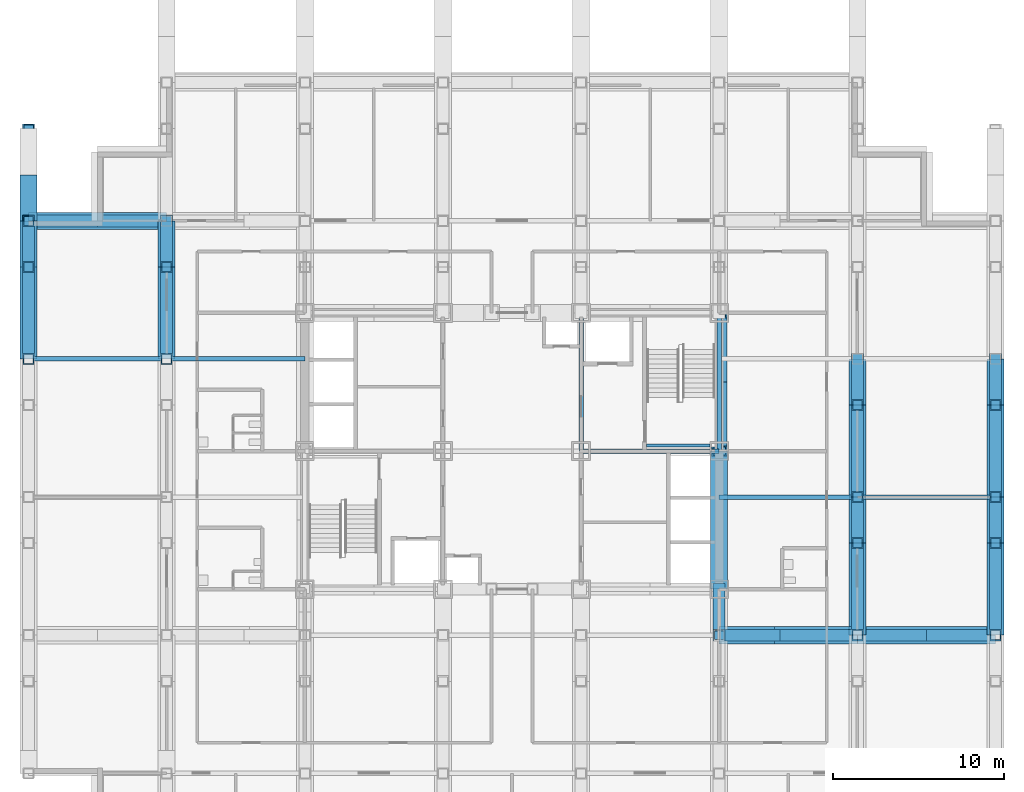
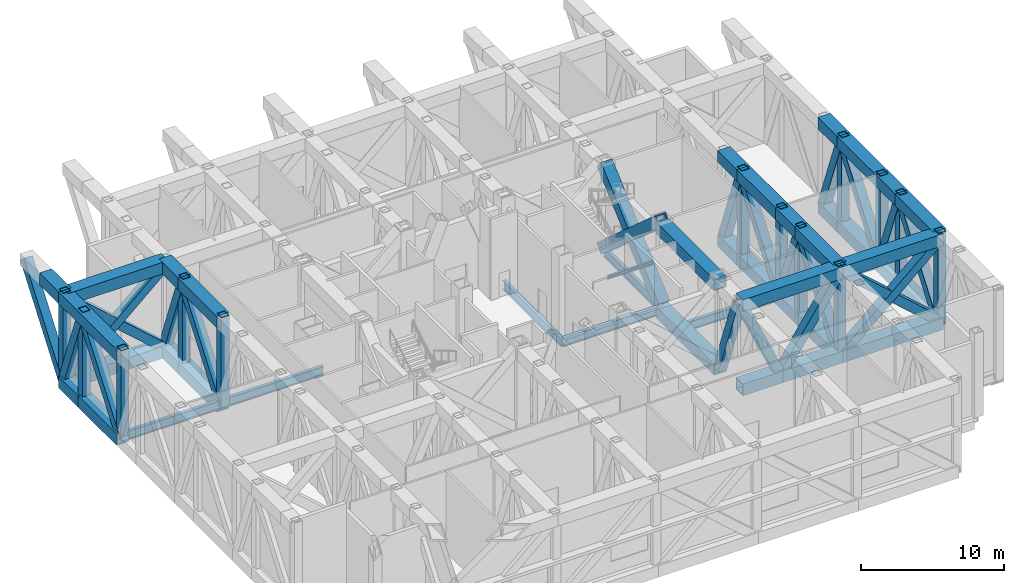
# One storey, part 4 of 13: 68 members, 8 beams.
"""IFC4 building model written with IfcOpenShell, lengths in metres."""

from ifc_helpers import new_model, si_unit, direction, frame, origin, origin_2d, place, context, subcontext, project, spatial, hollow_rectangle, i_section, extrude, material, material_profile, profile_set, type_object, element, save


model = new_model("IFC4")

# Units and contexts
model_context = context("Model", 3, precision=1e-05, world=origin(), true_north=direction((0.0, 1.0)))
body_context = subcontext(model_context, "Body", "Model", "MODEL_VIEW")
ifc_project = project(units=[si_unit("LENGTHUNIT", "METRE"), si_unit("AREAUNIT", "SQUARE_METRE"), si_unit("VOLUMEUNIT", "CUBIC_METRE"), si_unit("PLANEANGLEUNIT", "RADIAN"), si_unit("MASSUNIT", "GRAM", prefix="KILO")], contexts=[model_context])

# Site, building, storey
site_placement = place(None, origin())
site = spatial("IfcSite", under=ifc_project, at=site_placement, CompositionType="ELEMENT")
building_placement = place(site_placement, origin())
building = spatial("IfcBuilding", under=site, at=building_placement, Name="Kopane Lantern Tower", CompositionType="ELEMENT")
storey_placement = place(building_placement, frame((0.0, 0.0, 157.800048828125)))
storey = spatial("IfcBuildingStorey", under=building, at=storey_placement, Name="L41", CompositionType="ELEMENT", Elevation=157.800048828125)

# Members
ifc_material_1 = material(Name="Steel S355JR", Category="steel")
ifc_material_profile_1 = material_profile(ifc_material_1, hollow_rectangle(XDim=0.89990234375, YDim=0.89990234375, WallThickness=0.090087890625, at=origin_2d()), Name="BOX 900x900x90")
ifc_profile_set_1 = profile_set([ifc_material_profile_1], Name="Steel S355JR")
member_type_1 = type_object("IfcMemberType", Name="BRACE BOX 900x900x90", PredefinedType="BRACE", material=ifc_profile_set_1)
for number, where, z_axis, x_axis, name in (
    (1, (40.5, 32.39990234375, -0.25), (0.0, 0.747415533118, 0.664356847525), (-1.0, 0.0, 0.0), "Core brace L41"),
    (2, (40.5, 40.5, -0.25), (0.0, -0.747415533118, 0.664356847525), (1.0, 0.0, 0.0), "Core brace L41"),
):
    element("IfcMember", number, at=place(storey_placement, frame(where, z_axis=z_axis, x_axis=x_axis)), inside=storey, type_object=member_type_1, Name=name, PredefinedType="BRACE", context=body_context, shape_type="SweptSolid", body=[
        extrude(hollow_rectangle(XDim=0.89990234375, YDim=0.89990234375, WallThickness=0.090087890625, at=origin_2d()), origin(), (0.0, 0.0, 1.0), 10.83740234375),
    ])

# Beams
ifc_material_2 = material(Name="Steel S355JR", Category="steel")
ifc_material_profile_2 = material_profile(ifc_material_2, i_section(OverallWidth=0.2666015625, OverallDepth=0.76220703125, WebThickness=0.014404296875, FlangeThickness=0.021484375, FilletRadius=0.0166015625, at=origin_2d()), Name="UB 762x267x173")
ifc_profile_set_2 = profile_set([ifc_material_profile_2], Name="Steel S355JR")
beam_type_1 = type_object("IfcBeamType", Name="CORE BEAM UB 762x267x173", PredefinedType="BEAM", material=ifc_profile_set_2)
for number, where, z_axis, x_axis, name in (
    (3, (32.39990234375, 32.39990234375, -0.631103515625), (0.0, 1.0, 0.0), (-1.0, 0.0, 0.0), "Core Beam L41"),
    (4, (32.39990234375, 32.39990234375, -0.631103515625), (1.0, 0.0, 0.0), (0.0, 1.0, 0.0), "Core Beam L41"),
):
    element("IfcBeam", number, at=place(storey_placement, frame(where, z_axis=z_axis, x_axis=x_axis)), inside=storey, type_object=beam_type_1, Name=name, PredefinedType="BEAM", context=body_context, shape_type="SweptSolid", body=[
        extrude(i_section(OverallWidth=0.2666015625, OverallDepth=0.76220703125, WebThickness=0.014404296875, FlangeThickness=0.021484375, FilletRadius=0.0166015625, at=origin_2d()), origin(), (0.0, 0.0, 1.0), 8.10009765625),
    ])
ifc_material_3 = material(Name="Steel S355JR", Category="steel")
ifc_material_profile_3 = material_profile(ifc_material_3, i_section(OverallWidth=0.26806640625, OverallDepth=0.769775390625, WebThickness=0.015625, FlangeThickness=0.025390625, FilletRadius=0.0166015625, at=origin_2d()), Name="UB 762x267x197")
ifc_profile_set_3 = profile_set([ifc_material_profile_3], Name="Steel S355JR")
beam_type_2 = type_object("IfcBeamType", Name="GIRDER UB 762x267x197", PredefinedType="BEAM", material=ifc_profile_set_3)
beam_1_placement = place(storey_placement, frame((0.0, 37.800048828125, -0.635009765625), z_axis=(1.0, 0.0, 0.0), x_axis=(0.0, 1.0, 0.0)))
element("IfcBeam", 5, at=beam_1_placement, inside=storey, type_object=beam_type_2, Name="Girder L41", PredefinedType="BEAM", context=body_context, shape_type="SweptSolid", body=[
    extrude(i_section(OverallWidth=0.26806640625, OverallDepth=0.769775390625, WebThickness=0.015625, FlangeThickness=0.025390625, FilletRadius=0.0166015625, at=origin_2d()), origin(), (0.0, 0.0, 1.0), 8.10009765625),
])
beam_2_placement = place(storey_placement, frame((8.10009765625, 37.800048828125, -0.635009765625), z_axis=(1.0, 0.0, 0.0), x_axis=(0.0, 1.0, 0.0)))
element("IfcBeam", 6, at=beam_2_placement, inside=storey, type_object=beam_type_2, Name="Girder L41", PredefinedType="BEAM", context=body_context, shape_type="SweptSolid", body=[
    extrude(i_section(OverallWidth=0.26806640625, OverallDepth=0.769775390625, WebThickness=0.015625, FlangeThickness=0.025390625, FilletRadius=0.0166015625, at=origin_2d()), origin(), (0.0, 0.0, 1.0), 8.099853515625),
])
for number, where, z_axis, x_axis, name in (
    (7, (40.5, 29.699951171875, -0.635009765625), (1.0, 0.0, 0.0), (0.0, 1.0, 0.0), "Girder L41"),
    (8, (40.5, 32.39990234375, -0.635009765625), (0.0, 1.0, 0.0), (-1.0, 0.0, 0.0), "Girder L41"),
):
    element("IfcBeam", number, at=place(storey_placement, frame(where, z_axis=z_axis, x_axis=x_axis)), inside=storey, type_object=beam_type_2, Name=name, PredefinedType="BEAM", context=body_context, shape_type="SweptSolid", body=[
        extrude(i_section(OverallWidth=0.26806640625, OverallDepth=0.769775390625, WebThickness=0.015625, FlangeThickness=0.025390625, FilletRadius=0.0166015625, at=origin_2d()), origin(), (0.0, 0.0, 1.0), 8.10009765625),
    ])
beam_3_placement = place(storey_placement, frame((48.60009765625, 29.699951171875, -0.635009765625), z_axis=(1.0, 0.0, 0.0), x_axis=(0.0, 1.0, 0.0)))
element("IfcBeam", 9, at=beam_3_placement, inside=storey, type_object=beam_type_2, Name="Girder L41", PredefinedType="BEAM", context=body_context, shape_type="SweptSolid", body=[
    extrude(i_section(OverallWidth=0.26806640625, OverallDepth=0.769775390625, WebThickness=0.015625, FlangeThickness=0.025390625, FilletRadius=0.0166015625, at=origin_2d()), origin(), (0.0, 0.0, 1.0), 8.099853515625),
])
ifc_material_4 = material(Name="Steel S355JR", Category="steel")
ifc_material_profile_4 = material_profile(ifc_material_4, i_section(OverallWidth=0.1650390625, OverallDepth=0.303466796875, WebThickness=0.006103515625, FlangeThickness=0.01025390625, FilletRadius=0.0087890625, at=origin_2d()), Name="UB 305x165x40")
ifc_profile_set_4 = profile_set([ifc_material_profile_4], Name="Steel S355JR")
beam_type_3 = type_object("IfcBeamType", Name="STAIR LANDING BEAM UB 305x165x40", PredefinedType="BEAM", material=ifc_profile_set_4)
beam_4_placement = place(storey_placement, frame((39.949951171875, 32.732421875, 3.33203125), z_axis=(-1.0, 0.0, 0.0), x_axis=(0.0, -1.0, 0.0)))
element("IfcBeam", 10, at=beam_4_placement, inside=storey, type_object=beam_type_3, Name="Stair landing beam ST2 L41", PredefinedType="BEAM", context=body_context, shape_type="SweptSolid", body=[
    extrude(i_section(OverallWidth=0.1650390625, OverallDepth=0.303466796875, WebThickness=0.006103515625, FlangeThickness=0.01025390625, FilletRadius=0.0087890625, at=origin_2d()), origin(), (0.0, 0.0, 1.0), 3.699951171875),
])

# Members
ifc_material_5 = material(Name="Steel S355JR", Category="steel")
ifc_material_profile_5 = material_profile(ifc_material_5, hollow_rectangle(XDim=1.0, YDim=1.0, WallThickness=0.090087890625, at=origin_2d()), Name="BOX 1000x1000x90")
ifc_profile_set_5 = profile_set([ifc_material_profile_5], Name="Steel S355JR")
member_type_2 = type_object("IfcMemberType", Name="TRUSS CHORD BOX 1000x1000x90", PredefinedType="CHORD", material=ifc_profile_set_5)
member_1_placement = place(storey_placement, frame((0.0, 37.800048828125, -0.75), z_axis=(0.0, 1.0, 0.0), x_axis=(-1.0, 0.0, 0.0)))
element("IfcMember", 11, at=member_1_placement, inside=storey, type_object=member_type_2, Name="Transfer truss 2 L41 truss chord", PredefinedType="CHORD", context=body_context, shape_type="SweptSolid", body=[
    extrude(hollow_rectangle(XDim=1.0, YDim=1.0, WallThickness=0.090087890625, at=origin_2d()), origin(), (0.0, 0.0, 1.0), 5.39990234375),
])
member_2_placement = place(storey_placement, frame((0.0, 43.199951171875, -0.75), z_axis=(0.0, 1.0, 0.0), x_axis=(-1.0, 0.0, 0.0)))
element("IfcMember", 12, at=member_2_placement, inside=storey, type_object=member_type_2, Name="Transfer truss 2 L41 truss chord", PredefinedType="CHORD", context=body_context, shape_type="SweptSolid", body=[
    extrude(hollow_rectangle(XDim=1.0, YDim=1.0, WallThickness=0.090087890625, at=origin_2d()), origin(), (0.0, 0.0, 1.0), 2.699951171875),
])
member_3_placement = place(storey_placement, frame((0.0, 37.800048828125, 6.449951171875), z_axis=(0.0, 1.0, 0.0), x_axis=(-1.0, 0.0, 0.0)))
element("IfcMember", 13, at=member_3_placement, inside=storey, type_object=member_type_2, Name="Transfer truss 2 L41 truss chord", PredefinedType="CHORD", context=body_context, shape_type="SweptSolid", body=[
    extrude(hollow_rectangle(XDim=1.0, YDim=1.0, WallThickness=0.090087890625, at=origin_2d()), origin(), (0.0, 0.0, 1.0), 8.099853515625),
])
member_4_placement = place(storey_placement, frame((0.0, 45.89990234375, 6.449951171875), z_axis=(0.0, 1.0, 0.0), x_axis=(-1.0, 0.0, 0.0)))
element("IfcMember", 14, at=member_4_placement, inside=storey, type_object=member_type_2, Name="Transfer truss 2 L41 truss chord", PredefinedType="CHORD", context=body_context, shape_type="SweptSolid", body=[
    extrude(hollow_rectangle(XDim=1.0, YDim=1.0, WallThickness=0.090087890625, at=origin_2d()), origin(), (0.0, 0.0, 1.0), 2.7001953125),
])
member_5_placement = place(storey_placement, frame((8.10009765625, 37.800048828125, -0.75), z_axis=(0.0, 1.0, 0.0), x_axis=(-1.0, 0.0, 0.0)))
element("IfcMember", 15, at=member_5_placement, inside=storey, type_object=member_type_2, Name="Transfer truss 3 L41 truss chord", PredefinedType="CHORD", context=body_context, shape_type="SweptSolid", body=[
    extrude(hollow_rectangle(XDim=1.0, YDim=1.0, WallThickness=0.090087890625, at=origin_2d()), origin(), (0.0, 0.0, 1.0), 5.39990234375),
])
member_6_placement = place(storey_placement, frame((8.10009765625, 43.199951171875, -0.75), z_axis=(0.0, 1.0, 0.0), x_axis=(-1.0, 0.0, 0.0)))
element("IfcMember", 16, at=member_6_placement, inside=storey, type_object=member_type_2, Name="Transfer truss 3 L41 truss chord", PredefinedType="CHORD", context=body_context, shape_type="SweptSolid", body=[
    extrude(hollow_rectangle(XDim=1.0, YDim=1.0, WallThickness=0.090087890625, at=origin_2d()), origin(), (0.0, 0.0, 1.0), 2.699951171875),
])
member_7_placement = place(storey_placement, frame((8.10009765625, 37.800048828125, 6.449951171875), z_axis=(0.0, 1.0, 0.0), x_axis=(-1.0, 0.0, 0.0)))
element("IfcMember", 17, at=member_7_placement, inside=storey, type_object=member_type_2, Name="Transfer truss 3 L41 truss chord", PredefinedType="CHORD", context=body_context, shape_type="SweptSolid", body=[
    extrude(hollow_rectangle(XDim=1.0, YDim=1.0, WallThickness=0.090087890625, at=origin_2d()), origin(), (0.0, 0.0, 1.0), 5.39990234375),
])
member_8_placement = place(storey_placement, frame((8.10009765625, 43.199951171875, 6.449951171875), z_axis=(0.0, 1.0, 0.0), x_axis=(-1.0, 0.0, 0.0)))
element("IfcMember", 18, at=member_8_placement, inside=storey, type_object=member_type_2, Name="Transfer truss 3 L41 truss chord", PredefinedType="CHORD", context=body_context, shape_type="SweptSolid", body=[
    extrude(hollow_rectangle(XDim=1.0, YDim=1.0, WallThickness=0.090087890625, at=origin_2d()), origin(), (0.0, 0.0, 1.0), 2.699951171875),
])
for number, where, z_axis, x_axis, name in (
    (19, (40.5, 24.300048828125, -0.75), (0.0, 1.0, 0.0), (-1.0, 0.0, 0.0), "Transfer truss 7 L41 truss chord"),
    (20, (40.5, 24.300048828125, 6.449951171875), (0.0, 1.0, 0.0), (-1.0, 0.0, 0.0), "Transfer truss 7 L41 truss chord"),
):
    element("IfcMember", number, at=place(storey_placement, frame(where, z_axis=z_axis, x_axis=x_axis)), inside=storey, type_object=member_type_2, Name=name, PredefinedType="CHORD", context=body_context, shape_type="SweptSolid", body=[
        extrude(hollow_rectangle(XDim=1.0, YDim=1.0, WallThickness=0.090087890625, at=origin_2d()), origin(), (0.0, 0.0, 1.0), 8.099853515625),
    ])
member_9_placement = place(storey_placement, frame((48.60009765625, 21.60009765625, -0.75), z_axis=(0.0, 1.0, 0.0), x_axis=(-1.0, 0.0, 0.0)))
element("IfcMember", 21, at=member_9_placement, inside=storey, type_object=member_type_2, Name="Transfer truss 8 L41 truss chord", PredefinedType="CHORD", context=body_context, shape_type="SweptSolid", body=[
    extrude(hollow_rectangle(XDim=1.0, YDim=1.0, WallThickness=0.090087890625, at=origin_2d()), origin(), (0.0, 0.0, 1.0), 5.39990234375),
])
member_10_placement = place(storey_placement, frame((48.60009765625, 27.0, -0.75), z_axis=(0.0, 1.0, 0.0), x_axis=(-1.0, 0.0, 0.0)))
element("IfcMember", 22, at=member_10_placement, inside=storey, type_object=member_type_2, Name="Transfer truss 8 L41 truss chord", PredefinedType="CHORD", context=body_context, shape_type="SweptSolid", body=[
    extrude(hollow_rectangle(XDim=1.0, YDim=1.0, WallThickness=0.090087890625, at=origin_2d()), origin(), (0.0, 0.0, 1.0), 2.699951171875),
])
member_11_placement = place(storey_placement, frame((48.60009765625, 29.699951171875, -0.75), z_axis=(0.0, 1.0, 0.0), x_axis=(-1.0, 0.0, 0.0)))
element("IfcMember", 23, at=member_11_placement, inside=storey, type_object=member_type_2, Name="Transfer truss 8 L41 truss chord", PredefinedType="CHORD", context=body_context, shape_type="SweptSolid", body=[
    extrude(hollow_rectangle(XDim=1.0, YDim=1.0, WallThickness=0.090087890625, at=origin_2d()), origin(), (0.0, 0.0, 1.0), 5.400146484375),
])
member_12_placement = place(storey_placement, frame((48.60009765625, 35.10009765625, -0.75), z_axis=(0.0, 1.0, 0.0), x_axis=(-1.0, 0.0, 0.0)))
element("IfcMember", 24, at=member_12_placement, inside=storey, type_object=member_type_2, Name="Transfer truss 8 L41 truss chord", PredefinedType="CHORD", context=body_context, shape_type="SweptSolid", body=[
    extrude(hollow_rectangle(XDim=1.0, YDim=1.0, WallThickness=0.090087890625, at=origin_2d()), origin(), (0.0, 0.0, 1.0), 2.699951171875),
])
member_13_placement = place(storey_placement, frame((48.60009765625, 21.60009765625, 6.449951171875), z_axis=(0.0, 1.0, 0.0), x_axis=(-1.0, 0.0, 0.0)))
element("IfcMember", 25, at=member_13_placement, inside=storey, type_object=member_type_2, Name="Transfer truss 8 L41 truss chord", PredefinedType="CHORD", context=body_context, shape_type="SweptSolid", body=[
    extrude(hollow_rectangle(XDim=1.0, YDim=1.0, WallThickness=0.090087890625, at=origin_2d()), origin(), (0.0, 0.0, 1.0), 5.39990234375),
])
member_14_placement = place(storey_placement, frame((48.60009765625, 27.0, 6.449951171875), z_axis=(0.0, 1.0, 0.0), x_axis=(-1.0, 0.0, 0.0)))
element("IfcMember", 26, at=member_14_placement, inside=storey, type_object=member_type_2, Name="Transfer truss 8 L41 truss chord", PredefinedType="CHORD", context=body_context, shape_type="SweptSolid", body=[
    extrude(hollow_rectangle(XDim=1.0, YDim=1.0, WallThickness=0.090087890625, at=origin_2d()), origin(), (0.0, 0.0, 1.0), 2.699951171875),
])
member_15_placement = place(storey_placement, frame((48.60009765625, 29.699951171875, 6.449951171875), z_axis=(0.0, 1.0, 0.0), x_axis=(-1.0, 0.0, 0.0)))
element("IfcMember", 27, at=member_15_placement, inside=storey, type_object=member_type_2, Name="Transfer truss 8 L41 truss chord", PredefinedType="CHORD", context=body_context, shape_type="SweptSolid", body=[
    extrude(hollow_rectangle(XDim=1.0, YDim=1.0, WallThickness=0.090087890625, at=origin_2d()), origin(), (0.0, 0.0, 1.0), 5.400146484375),
])
member_16_placement = place(storey_placement, frame((48.60009765625, 35.10009765625, 6.449951171875), z_axis=(0.0, 1.0, 0.0), x_axis=(-1.0, 0.0, 0.0)))
element("IfcMember", 28, at=member_16_placement, inside=storey, type_object=member_type_2, Name="Transfer truss 8 L41 truss chord", PredefinedType="CHORD", context=body_context, shape_type="SweptSolid", body=[
    extrude(hollow_rectangle(XDim=1.0, YDim=1.0, WallThickness=0.090087890625, at=origin_2d()), origin(), (0.0, 0.0, 1.0), 2.699951171875),
])
member_17_placement = place(storey_placement, frame((56.699951171875, 21.60009765625, -0.75), z_axis=(0.0, 1.0, 0.0), x_axis=(-1.0, 0.0, 0.0)))
element("IfcMember", 29, at=member_17_placement, inside=storey, type_object=member_type_2, Name="Transfer truss 9 L41 truss chord", PredefinedType="CHORD", context=body_context, shape_type="SweptSolid", body=[
    extrude(hollow_rectangle(XDim=1.0, YDim=1.0, WallThickness=0.090087890625, at=origin_2d()), origin(), (0.0, 0.0, 1.0), 5.39990234375),
])
member_18_placement = place(storey_placement, frame((56.699951171875, 27.0, -0.75), z_axis=(0.0, 1.0, 0.0), x_axis=(-1.0, 0.0, 0.0)))
element("IfcMember", 30, at=member_18_placement, inside=storey, type_object=member_type_2, Name="Transfer truss 9 L41 truss chord", PredefinedType="CHORD", context=body_context, shape_type="SweptSolid", body=[
    extrude(hollow_rectangle(XDim=1.0, YDim=1.0, WallThickness=0.090087890625, at=origin_2d()), origin(), (0.0, 0.0, 1.0), 2.699951171875),
])
member_19_placement = place(storey_placement, frame((56.699951171875, 29.699951171875, -0.75), z_axis=(0.0, 1.0, 0.0), x_axis=(-1.0, 0.0, 0.0)))
element("IfcMember", 31, at=member_19_placement, inside=storey, type_object=member_type_2, Name="Transfer truss 9 L41 truss chord", PredefinedType="CHORD", context=body_context, shape_type="SweptSolid", body=[
    extrude(hollow_rectangle(XDim=1.0, YDim=1.0, WallThickness=0.090087890625, at=origin_2d()), origin(), (0.0, 0.0, 1.0), 5.400146484375),
])
member_20_placement = place(storey_placement, frame((56.699951171875, 35.10009765625, -0.75), z_axis=(0.0, 1.0, 0.0), x_axis=(-1.0, 0.0, 0.0)))
element("IfcMember", 32, at=member_20_placement, inside=storey, type_object=member_type_2, Name="Transfer truss 9 L41 truss chord", PredefinedType="CHORD", context=body_context, shape_type="SweptSolid", body=[
    extrude(hollow_rectangle(XDim=1.0, YDim=1.0, WallThickness=0.090087890625, at=origin_2d()), origin(), (0.0, 0.0, 1.0), 2.699951171875),
])
member_21_placement = place(storey_placement, frame((56.699951171875, 21.60009765625, 6.449951171875), z_axis=(0.0, 1.0, 0.0), x_axis=(-1.0, 0.0, 0.0)))
element("IfcMember", 33, at=member_21_placement, inside=storey, type_object=member_type_2, Name="Transfer truss 9 L41 truss chord", PredefinedType="CHORD", context=body_context, shape_type="SweptSolid", body=[
    extrude(hollow_rectangle(XDim=1.0, YDim=1.0, WallThickness=0.090087890625, at=origin_2d()), origin(), (0.0, 0.0, 1.0), 5.39990234375),
])
member_22_placement = place(storey_placement, frame((56.699951171875, 27.0, 6.449951171875), z_axis=(0.0, 1.0, 0.0), x_axis=(-1.0, 0.0, 0.0)))
element("IfcMember", 34, at=member_22_placement, inside=storey, type_object=member_type_2, Name="Transfer truss 9 L41 truss chord", PredefinedType="CHORD", context=body_context, shape_type="SweptSolid", body=[
    extrude(hollow_rectangle(XDim=1.0, YDim=1.0, WallThickness=0.090087890625, at=origin_2d()), origin(), (0.0, 0.0, 1.0), 2.699951171875),
])
member_23_placement = place(storey_placement, frame((56.699951171875, 29.699951171875, 6.449951171875), z_axis=(0.0, 1.0, 0.0), x_axis=(-1.0, 0.0, 0.0)))
element("IfcMember", 35, at=member_23_placement, inside=storey, type_object=member_type_2, Name="Transfer truss 9 L41 truss chord", PredefinedType="CHORD", context=body_context, shape_type="SweptSolid", body=[
    extrude(hollow_rectangle(XDim=1.0, YDim=1.0, WallThickness=0.090087890625, at=origin_2d()), origin(), (0.0, 0.0, 1.0), 5.400146484375),
])
member_24_placement = place(storey_placement, frame((56.699951171875, 35.10009765625, 6.449951171875), z_axis=(0.0, 1.0, 0.0), x_axis=(-1.0, 0.0, 0.0)))
element("IfcMember", 36, at=member_24_placement, inside=storey, type_object=member_type_2, Name="Transfer truss 9 L41 truss chord", PredefinedType="CHORD", context=body_context, shape_type="SweptSolid", body=[
    extrude(hollow_rectangle(XDim=1.0, YDim=1.0, WallThickness=0.090087890625, at=origin_2d()), origin(), (0.0, 0.0, 1.0), 2.699951171875),
])
for number, where, z_axis, x_axis, name in (
    (37, (56.699951171875, 21.60009765625, -0.75), (-1.0, 0.0, 0.0), (0.0, -1.0, 0.0), "Outrigger truss E21.6 L41 truss chord"),
    (38, (56.699951171875, 21.60009765625, 6.449951171875), (-1.0, 0.0, 0.0), (0.0, -1.0, 0.0), "Outrigger truss E21.6 L41 truss chord"),
):
    element("IfcMember", number, at=place(storey_placement, frame(where, z_axis=z_axis, x_axis=x_axis)), inside=storey, type_object=member_type_2, Name=name, PredefinedType="CHORD", context=body_context, shape_type="SweptSolid", body=[
        extrude(hollow_rectangle(XDim=1.0, YDim=1.0, WallThickness=0.090087890625, at=origin_2d()), origin(), (0.0, 0.0, 1.0), 8.099853515625),
    ])
member_25_placement = place(storey_placement, frame((48.60009765625, 21.60009765625, -0.75), z_axis=(-1.0, 0.0, 0.0), x_axis=(0.0, -1.0, 0.0)))
element("IfcMember", 39, at=member_25_placement, inside=storey, type_object=member_type_2, Name="Outrigger truss E21.6 L41 truss chord", PredefinedType="CHORD", context=body_context, shape_type="SweptSolid", body=[
    extrude(hollow_rectangle(XDim=1.0, YDim=1.0, WallThickness=0.090087890625, at=origin_2d()), origin(), (0.0, 0.0, 1.0), 4.860107421875),
])
member_26_placement = place(storey_placement, frame((43.739990234375, 21.60009765625, -0.75), z_axis=(-1.0, 0.0, 0.0), x_axis=(0.0, -1.0, 0.0)))
element("IfcMember", 40, at=member_26_placement, inside=storey, type_object=member_type_2, Name="Outrigger truss E21.6 L41 truss chord", PredefinedType="CHORD", context=body_context, shape_type="SweptSolid", body=[
    extrude(hollow_rectangle(XDim=1.0, YDim=1.0, WallThickness=0.090087890625, at=origin_2d()), origin(), (0.0, 0.0, 1.0), 3.239990234375),
])
for number, where, z_axis, x_axis, name in (
    (41, (48.60009765625, 21.60009765625, 6.449951171875), (-1.0, 0.0, 0.0), (0.0, -1.0, 0.0), "Outrigger truss E21.6 L41 truss chord"),
    (42, (0.0, 45.89990234375, -0.75), (1.0, 0.0, 0.0), (0.0, 1.0, 0.0), "Outrigger truss W45.9 L41 truss chord"),
    (43, (0.0, 45.89990234375, 6.449951171875), (1.0, 0.0, 0.0), (0.0, 1.0, 0.0), "Outrigger truss W45.9 L41 truss chord"),
):
    element("IfcMember", number, at=place(storey_placement, frame(where, z_axis=z_axis, x_axis=x_axis)), inside=storey, type_object=member_type_2, Name=name, PredefinedType="CHORD", context=body_context, shape_type="SweptSolid", body=[
        extrude(hollow_rectangle(XDim=1.0, YDim=1.0, WallThickness=0.090087890625, at=origin_2d()), origin(), (0.0, 0.0, 1.0), 8.10009765625),
    ])
ifc_material_6 = material(Name="Steel S355JR", Category="steel")
ifc_material_profile_6 = material_profile(ifc_material_6, hollow_rectangle(XDim=0.699951171875, YDim=0.699951171875, WallThickness=0.070068359375, at=origin_2d()), Name="BOX 700x700x70")
ifc_profile_set_6 = profile_set([ifc_material_profile_6], Name="Steel S355JR")
member_type_3 = type_object("IfcMemberType", Name="TRUSS DIAGONAL BOX 700x700x70", PredefinedType="BRACE", material=ifc_profile_set_6)
member_27_placement = place(storey_placement, frame((0.0, 37.800048828125, -0.75), z_axis=(0.0, 0.599995659666, 0.800003255232), x_axis=(-1.0, 0.0, 0.0)))
element("IfcMember", 44, at=member_27_placement, inside=storey, type_object=member_type_3, Name="Transfer truss 2 L41 truss diagonal", PredefinedType="BRACE", context=body_context, shape_type="SweptSolid", body=[
    extrude(hollow_rectangle(XDim=0.699951171875, YDim=0.699951171875, WallThickness=0.070068359375, at=origin_2d()), origin(), (0.0, 0.0, 1.0), 9.0),
])
member_28_placement = place(storey_placement, frame((0.0, 45.89990234375, -0.75), z_axis=(0.0, -0.351119962166, 0.936330482345), x_axis=(1.0, 0.0, 0.0)))
element("IfcMember", 45, at=member_28_placement, inside=storey, type_object=member_type_3, Name="Transfer truss 2 L41 truss diagonal", PredefinedType="BRACE", context=body_context, shape_type="SweptSolid", body=[
    extrude(hollow_rectangle(XDim=0.699951171875, YDim=0.699951171875, WallThickness=0.070068359375, at=origin_2d()), origin(), (0.0, 0.0, 1.0), 7.689453125),
])
for number, where, z_axis, x_axis, name in (
    (46, (0.0, 45.89990234375, -0.75), (0.0, 0.600013020683, 0.799990234322), (-1.0, 0.0, 0.0), "Transfer truss 2 L41 truss diagonal"),
    (47, (8.10009765625, 37.800048828125, -0.75), (0.0, 0.599995659666, 0.800003255232), (-1.0, 0.0, 0.0), "Transfer truss 3 L41 truss diagonal"),
):
    element("IfcMember", number, at=place(storey_placement, frame(where, z_axis=z_axis, x_axis=x_axis)), inside=storey, type_object=member_type_3, Name=name, PredefinedType="BRACE", context=body_context, shape_type="SweptSolid", body=[
        extrude(hollow_rectangle(XDim=0.699951171875, YDim=0.699951171875, WallThickness=0.070068359375, at=origin_2d()), origin(), (0.0, 0.0, 1.0), 9.0),
    ])
member_29_placement = place(storey_placement, frame((8.10009765625, 45.89990234375, -0.75), z_axis=(0.0, -0.351119962166, 0.936330482345), x_axis=(1.0, 0.0, 0.0)))
element("IfcMember", 48, at=member_29_placement, inside=storey, type_object=member_type_3, Name="Transfer truss 3 L41 truss diagonal", PredefinedType="BRACE", context=body_context, shape_type="SweptSolid", body=[
    extrude(hollow_rectangle(XDim=0.699951171875, YDim=0.699951171875, WallThickness=0.070068359375, at=origin_2d()), origin(), (0.0, 0.0, 1.0), 7.689453125),
])
member_30_placement = place(storey_placement, frame((48.60009765625, 21.60009765625, -0.75), z_axis=(0.0, 0.599995659666, 0.800003255232), x_axis=(-1.0, 0.0, 0.0)))
element("IfcMember", 49, at=member_30_placement, inside=storey, type_object=member_type_3, Name="Transfer truss 8 L41 truss diagonal", PredefinedType="BRACE", context=body_context, shape_type="SweptSolid", body=[
    extrude(hollow_rectangle(XDim=0.699951171875, YDim=0.699951171875, WallThickness=0.070068359375, at=origin_2d()), origin(), (0.0, 0.0, 1.0), 9.0),
])
member_31_placement = place(storey_placement, frame((48.60009765625, 29.699951171875, -0.75), z_axis=(0.0, -0.351119962166, 0.936330482345), x_axis=(1.0, 0.0, 0.0)))
element("IfcMember", 50, at=member_31_placement, inside=storey, type_object=member_type_3, Name="Transfer truss 8 L41 truss diagonal", PredefinedType="BRACE", context=body_context, shape_type="SweptSolid", body=[
    extrude(hollow_rectangle(XDim=0.699951171875, YDim=0.699951171875, WallThickness=0.070068359375, at=origin_2d()), origin(), (0.0, 0.0, 1.0), 7.689453125),
])
member_32_placement = place(storey_placement, frame((48.60009765625, 29.699951171875, -0.75), z_axis=(0.0, 0.600013020683, 0.799990234322), x_axis=(-1.0, 0.0, 0.0)))
element("IfcMember", 51, at=member_32_placement, inside=storey, type_object=member_type_3, Name="Transfer truss 8 L41 truss diagonal", PredefinedType="BRACE", context=body_context, shape_type="SweptSolid", body=[
    extrude(hollow_rectangle(XDim=0.699951171875, YDim=0.699951171875, WallThickness=0.070068359375, at=origin_2d()), origin(), (0.0, 0.0, 1.0), 9.0),
])
member_33_placement = place(storey_placement, frame((48.60009765625, 37.800048828125, -0.75), z_axis=(0.0, -0.351119962166, 0.936330482345), x_axis=(1.0, 0.0, 0.0)))
element("IfcMember", 52, at=member_33_placement, inside=storey, type_object=member_type_3, Name="Transfer truss 8 L41 truss diagonal", PredefinedType="BRACE", context=body_context, shape_type="SweptSolid", body=[
    extrude(hollow_rectangle(XDim=0.699951171875, YDim=0.699951171875, WallThickness=0.070068359375, at=origin_2d()), origin(), (0.0, 0.0, 1.0), 7.689453125),
])
member_34_placement = place(storey_placement, frame((56.699951171875, 21.60009765625, -0.75), z_axis=(0.0, 0.599995659666, 0.800003255232), x_axis=(-1.0, 0.0, 0.0)))
element("IfcMember", 53, at=member_34_placement, inside=storey, type_object=member_type_3, Name="Transfer truss 9 L41 truss diagonal", PredefinedType="BRACE", context=body_context, shape_type="SweptSolid", body=[
    extrude(hollow_rectangle(XDim=0.699951171875, YDim=0.699951171875, WallThickness=0.070068359375, at=origin_2d()), origin(), (0.0, 0.0, 1.0), 9.0),
])
member_35_placement = place(storey_placement, frame((56.699951171875, 29.699951171875, -0.75), z_axis=(0.0, -0.351119962166, 0.936330482345), x_axis=(1.0, 0.0, 0.0)))
element("IfcMember", 54, at=member_35_placement, inside=storey, type_object=member_type_3, Name="Transfer truss 9 L41 truss diagonal", PredefinedType="BRACE", context=body_context, shape_type="SweptSolid", body=[
    extrude(hollow_rectangle(XDim=0.699951171875, YDim=0.699951171875, WallThickness=0.070068359375, at=origin_2d()), origin(), (0.0, 0.0, 1.0), 7.689453125),
])
member_36_placement = place(storey_placement, frame((56.699951171875, 29.699951171875, -0.75), z_axis=(0.0, 0.600013020683, 0.799990234322), x_axis=(-1.0, 0.0, 0.0)))
element("IfcMember", 55, at=member_36_placement, inside=storey, type_object=member_type_3, Name="Transfer truss 9 L41 truss diagonal", PredefinedType="BRACE", context=body_context, shape_type="SweptSolid", body=[
    extrude(hollow_rectangle(XDim=0.699951171875, YDim=0.699951171875, WallThickness=0.070068359375, at=origin_2d()), origin(), (0.0, 0.0, 1.0), 9.0),
])
member_37_placement = place(storey_placement, frame((56.699951171875, 37.800048828125, -0.75), z_axis=(0.0, -0.351119962166, 0.936330482345), x_axis=(1.0, 0.0, 0.0)))
element("IfcMember", 56, at=member_37_placement, inside=storey, type_object=member_type_3, Name="Transfer truss 9 L41 truss diagonal", PredefinedType="BRACE", context=body_context, shape_type="SweptSolid", body=[
    extrude(hollow_rectangle(XDim=0.699951171875, YDim=0.699951171875, WallThickness=0.070068359375, at=origin_2d()), origin(), (0.0, 0.0, 1.0), 7.689453125),
])
for number, where, z_axis, x_axis, name in (
    (57, (56.699951171875, 21.60009765625, -0.75), (-0.747405589929, 0.0, 0.664368033655), (0.0, -1.0, 0.0), "Outrigger truss E21.6 L41 truss diagonal"),
    (58, (48.60009765625, 21.60009765625, -0.75), (0.747405589929, 0.0, 0.664368033655), (0.0, 1.0, 0.0), "Outrigger truss E21.6 L41 truss diagonal"),
):
    element("IfcMember", number, at=place(storey_placement, frame(where, z_axis=z_axis, x_axis=x_axis)), inside=storey, type_object=member_type_3, Name=name, PredefinedType="BRACE", context=body_context, shape_type="SweptSolid", body=[
        extrude(hollow_rectangle(XDim=0.699951171875, YDim=0.699951171875, WallThickness=0.070068359375, at=origin_2d()), origin(), (0.0, 0.0, 1.0), 10.83740234375),
    ])
member_38_placement = place(storey_placement, frame((48.60009765625, 21.60009765625, 6.449951171875), z_axis=(-0.559483956924, 0.0, -0.82884118017), x_axis=(0.0, -1.0, 0.0)))
element("IfcMember", 59, at=member_38_placement, inside=storey, type_object=member_type_3, Name="Outrigger truss E21.6 L41 truss diagonal", PredefinedType="BRACE", context=body_context, shape_type="SweptSolid", body=[
    extrude(hollow_rectangle(XDim=0.699951171875, YDim=0.699951171875, WallThickness=0.070068359375, at=origin_2d()), origin(), (0.0, 0.0, 1.0), 8.686767578125),
])
member_39_placement = place(storey_placement, frame((40.5, 21.60009765625, 6.449951171875), z_axis=(0.410365963067, 0.0, -0.911920926592), x_axis=(0.0, 1.0, 0.0)))
element("IfcMember", 60, at=member_39_placement, inside=storey, type_object=member_type_3, Name="Outrigger truss E21.6 L41 truss diagonal", PredefinedType="BRACE", context=body_context, shape_type="SweptSolid", body=[
    extrude(hollow_rectangle(XDim=0.699951171875, YDim=0.699951171875, WallThickness=0.070068359375, at=origin_2d()), origin(), (0.0, 0.0, 1.0), 7.895263671875),
])
member_40_placement = place(storey_placement, frame((40.5, 24.300048828125, -0.75), z_axis=(0.0, -0.351119962166, 0.936330482345), x_axis=(1.0, 0.0, 0.0)))
element("IfcMember", 61, at=member_40_placement, inside=storey, type_object=member_type_3, Name="Outrigger truss E21.6 L41 truss diagonal", PredefinedType="BRACE", context=body_context, shape_type="SweptSolid", body=[
    extrude(hollow_rectangle(XDim=0.699951171875, YDim=0.699951171875, WallThickness=0.070068359375, at=origin_2d()), origin(), (0.0, 0.0, 1.0), 7.689453125),
])
for number, where, z_axis, x_axis, name in (
    (62, (0.0, 45.89990234375, -0.75), (0.747415533118, 0.0, 0.664356847525), (0.0, 1.0, 0.0), "Outrigger truss W45.9 L41 truss diagonal"),
    (63, (8.10009765625, 45.89990234375, -0.75), (-0.747415533118, 0.0, 0.664356847525), (0.0, -1.0, 0.0), "Outrigger truss W45.9 L41 truss diagonal"),
):
    element("IfcMember", number, at=place(storey_placement, frame(where, z_axis=z_axis, x_axis=x_axis)), inside=storey, type_object=member_type_3, Name=name, PredefinedType="BRACE", context=body_context, shape_type="SweptSolid", body=[
        extrude(hollow_rectangle(XDim=0.699951171875, YDim=0.699951171875, WallThickness=0.070068359375, at=origin_2d()), origin(), (0.0, 0.0, 1.0), 10.83740234375),
    ])
ifc_material_7 = material(Name="Steel S355JR", Category="steel")
ifc_material_profile_7 = material_profile(ifc_material_7, hollow_rectangle(XDim=0.64990234375, YDim=0.64990234375, WallThickness=0.06005859375, at=origin_2d()), Name="BOX 650x650x60")
ifc_profile_set_7 = profile_set([ifc_material_profile_7], Name="Steel S355JR")
member_type_4 = type_object("IfcMemberType", Name="TRUSS POST BOX 650x650x60", PredefinedType="POST", material=ifc_profile_set_7)
for number, where, z_axis, x_axis, name in (
    (64, (0.0, 37.800048828125, -0.75), (0.0, 0.0, 1.0), (1.0, 0.0, 0.0), "Transfer truss 2 L41 truss post"),
    (65, (0.0, 43.199951171875, -0.75), (0.0, 0.0, 1.0), (1.0, 0.0, 0.0), "Transfer truss 2 L41 truss post"),
    (66, (0.0, 45.89990234375, -0.75), (0.0, 0.0, 1.0), (1.0, 0.0, 0.0), "Transfer truss 2 L41 truss post"),
    (67, (8.10009765625, 37.800048828125, -0.75), (0.0, 0.0, 1.0), (1.0, 0.0, 0.0), "Transfer truss 3 L41 truss post"),
    (68, (8.10009765625, 43.199951171875, -0.75), (0.0, 0.0, 1.0), (1.0, 0.0, 0.0), "Transfer truss 3 L41 truss post"),
    (69, (48.60009765625, 21.60009765625, -0.75), (0.0, 0.0, 1.0), (1.0, 0.0, 0.0), "Transfer truss 8 L41 truss post"),
    (70, (48.60009765625, 27.0, -0.75), (0.0, 0.0, 1.0), (1.0, 0.0, 0.0), "Transfer truss 8 L41 truss post"),
    (71, (48.60009765625, 29.699951171875, -0.75), (0.0, 0.0, 1.0), (1.0, 0.0, 0.0), "Transfer truss 8 L41 truss post"),
    (72, (48.60009765625, 35.10009765625, -0.75), (0.0, 0.0, 1.0), (1.0, 0.0, 0.0), "Transfer truss 8 L41 truss post"),
    (73, (56.699951171875, 21.60009765625, -0.75), (0.0, 0.0, 1.0), (1.0, 0.0, 0.0), "Transfer truss 9 L41 truss post"),
    (74, (56.699951171875, 27.0, -0.75), (0.0, 0.0, 1.0), (1.0, 0.0, 0.0), "Transfer truss 9 L41 truss post"),
    (75, (56.699951171875, 29.699951171875, -0.75), (0.0, 0.0, 1.0), (1.0, 0.0, 0.0), "Transfer truss 9 L41 truss post"),
    (76, (56.699951171875, 35.10009765625, -0.75), (0.0, 0.0, 1.0), (1.0, 0.0, 0.0), "Transfer truss 9 L41 truss post"),
):
    element("IfcMember", number, at=place(storey_placement, frame(where, z_axis=z_axis, x_axis=x_axis)), inside=storey, type_object=member_type_4, Name=name, PredefinedType="POST", context=body_context, shape_type="SweptSolid", body=[
        extrude(hollow_rectangle(XDim=0.64990234375, YDim=0.64990234375, WallThickness=0.06005859375, at=origin_2d()), origin(), (0.0, 0.0, 1.0), 7.699951171875),
    ])

save(model, "model.ifc")
